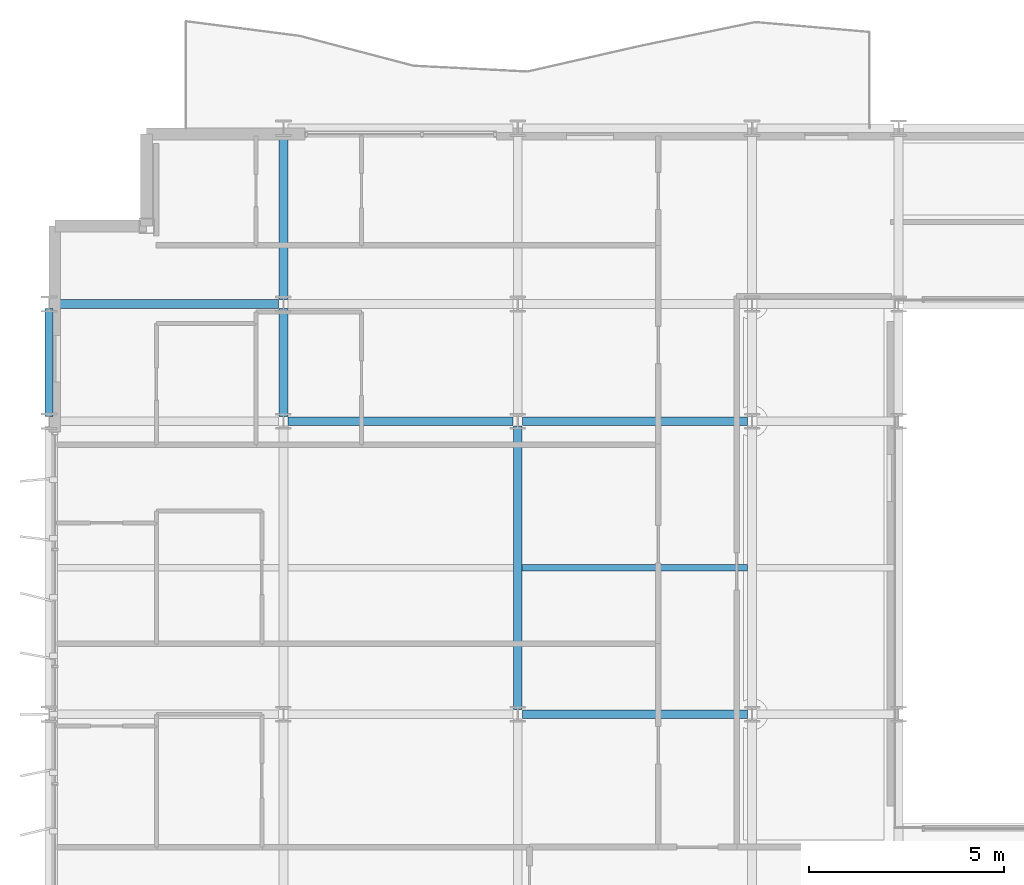
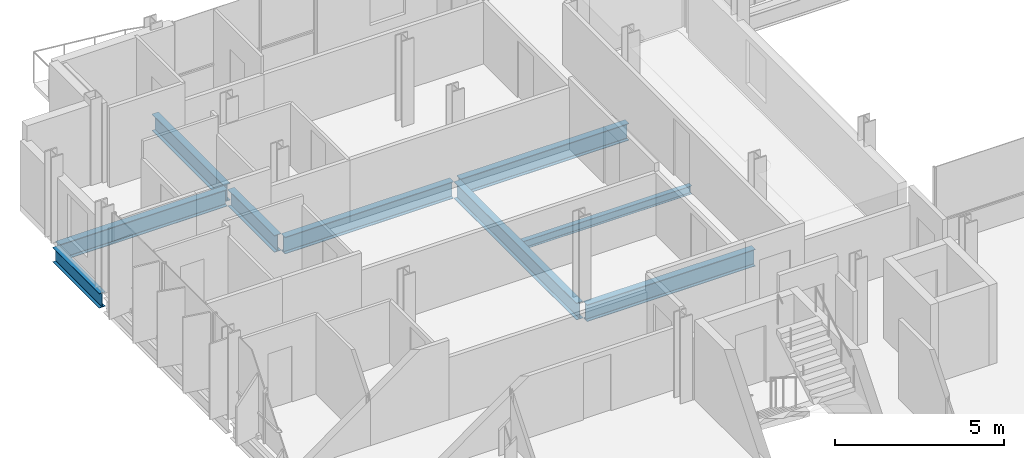
# One storey, part 8 of 39: 9 beams.
"""IFC4 building model written with IfcOpenShell, lengths in metres."""

from ifc_helpers import new_model, si_unit, direction, frame, origin, origin_2d, place, context, subcontext, project, spatial, i_section, extrude, material, material_profile, profile_set, type_object, element, save


model = new_model("IFC4")

# Units and contexts
model_context = context("Model", 3, precision=1e-05, world=origin(), true_north=direction((0.0, 1.0)))
body_context = subcontext(model_context, "Body", "Model", "MODEL_VIEW")
ifc_project = project(units=[si_unit("LENGTHUNIT", "METRE"), si_unit("AREAUNIT", "SQUARE_METRE"), si_unit("VOLUMEUNIT", "CUBIC_METRE"), si_unit("PLANEANGLEUNIT", "RADIAN"), si_unit("MASSUNIT", "GRAM", prefix="KILO")], contexts=[model_context])

# Site, building, storey
site_placement = place(None, origin())
site = spatial("IfcSite", under=ifc_project, at=site_placement, CompositionType="ELEMENT")
building_placement = place(site_placement, origin())
building = spatial("IfcBuilding", under=site, at=building_placement, Name="Brevholm Reach", CompositionType="ELEMENT")
storey_placement = place(building_placement, frame((0.0, 0.0, 154.199951171875)))
storey = spatial("IfcBuildingStorey", under=building, at=storey_placement, Name="L46", CompositionType="ELEMENT", Elevation=154.199951171875)

# Beams
ifc_material_1 = material(Name="Structural Steel S355J2", Category="steel")
ifc_material_profile_1 = material_profile(ifc_material_1, i_section(OverallWidth=0.1650390625, OverallDepth=0.303466796875, WebThickness=0.006103515625, FlangeThickness=0.01025390625, FilletRadius=0.0087890625, at=origin_2d()), Name="UKB 305x165x40")
ifc_profile_set_1 = profile_set([ifc_material_profile_1], Name="Structural Steel S355J2")
beam_type_1 = type_object("IfcBeamType", Name="BM-B305", PredefinedType="BEAM", material=ifc_profile_set_1)
beam_1_placement = place(storey_placement, frame((12.114501953125, 19.75, -0.37158203125), z_axis=(1.0, 0.0, 0.0), x_axis=(0.0, 1.0, 0.0)))
element("IfcBeam", 1, at=beam_1_placement, inside=storey, type_object=beam_type_1, Name="L46 Composite Secondary Floor Beam", PredefinedType="BEAM", context=body_context, shape_type="SweptSolid", body=[
    extrude(i_section(OverallWidth=0.1650390625, OverallDepth=0.303466796875, WebThickness=0.006103515625, FlangeThickness=0.01025390625, FilletRadius=0.0087890625, at=origin_2d()), origin(), (0.0, 0.0, 1.0), 5.77099609375),
])
ifc_material_2 = material(Name="Structural Steel S355J2", Category="steel")
ifc_material_profile_2 = material_profile(ifc_material_2, i_section(OverallWidth=0.209228515625, OverallDepth=0.533203125, WebThickness=0.010009765625, FlangeThickness=0.015625, FilletRadius=0.0126953125, at=origin_2d()), Name="UKB 533x210x92")
ifc_profile_set_2 = profile_set([ifc_material_profile_2], Name="Structural Steel S355J2")
beam_type_2 = type_object("IfcBeamType", Name="BM-SP533", PredefinedType="SPANDREL", material=ifc_profile_set_2)
beam_2_placement = place(storey_placement, frame((0.0, 23.6201171875, -0.486572265625), z_axis=(0.0, 1.0, 0.0), x_axis=(-1.0, 0.0, 0.0)))
element("IfcBeam", 2, at=beam_2_placement, inside=storey, type_object=beam_type_2, Name="L46 SP-02 Framing Beam", PredefinedType="SPANDREL", context=body_context, shape_type="SweptSolid", body=[
    extrude(i_section(OverallWidth=0.209228515625, OverallDepth=0.533203125, WebThickness=0.010009765625, FlangeThickness=0.015625, FilletRadius=0.0126953125, at=origin_2d()), origin(), (0.0, 0.0, 1.0), 2.759765625),
])
ifc_material_3 = material(Name="Structural Steel S355J2", Category="steel")
ifc_material_profile_3 = material_profile(ifc_material_3, i_section(OverallWidth=0.22900390625, OverallDepth=0.6123046875, WebThickness=0.011962890625, FlangeThickness=0.01953125, FilletRadius=0.0126953125, at=origin_2d()), Name="UKB 610x229x125")
ifc_profile_set_3 = profile_set([ifc_material_profile_3], Name="Structural Steel S355J2")
beam_type_3 = type_object("IfcBeamType", Name="BM-SP610", PredefinedType="SPANDREL", material=ifc_profile_set_3)
for number, where, z_axis, x_axis, name in (
    (3, (12.1201171875, 16.0, -0.526123046875), (1.0, 0.0, 0.0), (0.0, 1.0, 0.0), "L46 SP-01 Framing Beam"),
    (4, (6.1201171875, 23.5, -0.526123046875), (1.0, 0.0, 0.0), (0.0, 1.0, 0.0), "L46 SP-01 Framing Beam"),
    (5, (12.1201171875, 23.5, -0.526123046875), (1.0, 0.0, 0.0), (0.0, 1.0, 0.0), "L46 SP-01 Framing Beam"),
    (6, (0.1201171875, 26.5, -0.526123046875), (1.0, 0.0, 0.0), (0.0, 1.0, 0.0), "L46 SP-01 Framing Beam"),
):
    element("IfcBeam", number, at=place(storey_placement, frame(where, z_axis=z_axis, x_axis=x_axis)), inside=storey, type_object=beam_type_3, Name=name, PredefinedType="SPANDREL", context=body_context, shape_type="SweptSolid", body=[
        extrude(i_section(OverallWidth=0.22900390625, OverallDepth=0.6123046875, WebThickness=0.011962890625, FlangeThickness=0.01953125, FilletRadius=0.0126953125, at=origin_2d()), origin(), (0.0, 0.0, 1.0), 5.759765625),
    ])
beam_3_placement = place(storey_placement, frame((6.0, 23.6201171875, -0.526123046875), z_axis=(0.0, 1.0, 0.0), x_axis=(-1.0, 0.0, 0.0)))
element("IfcBeam", 7, at=beam_3_placement, inside=storey, type_object=beam_type_3, Name="L46 SP-01 Framing Beam", PredefinedType="SPANDREL", context=body_context, shape_type="SweptSolid", body=[
    extrude(i_section(OverallWidth=0.22900390625, OverallDepth=0.6123046875, WebThickness=0.011962890625, FlangeThickness=0.01953125, FilletRadius=0.0126953125, at=origin_2d()), origin(), (0.0, 0.0, 1.0), 2.759765625),
])
beam_4_placement = place(storey_placement, frame((6.0, 26.6201171875, -0.526123046875), z_axis=(0.0, 1.0, 0.0), x_axis=(-1.0, 0.0, 0.0)))
element("IfcBeam", 8, at=beam_4_placement, inside=storey, type_object=beam_type_3, Name="L46 SP-01 Framing Beam", PredefinedType="SPANDREL", context=body_context, shape_type="SweptSolid", body=[
    extrude(i_section(OverallWidth=0.22900390625, OverallDepth=0.6123046875, WebThickness=0.011962890625, FlangeThickness=0.01953125, FilletRadius=0.0126953125, at=origin_2d()), origin(), (0.0, 0.0, 1.0), 4.259765625),
])
beam_5_placement = place(storey_placement, frame((12.0, 16.1201171875, -0.526123046875), z_axis=(0.0, 1.0, 0.0), x_axis=(-1.0, 0.0, 0.0)))
element("IfcBeam", 9, at=beam_5_placement, inside=storey, type_object=beam_type_3, Name="L46 SP-01 Framing Beam", PredefinedType="SPANDREL", context=body_context, shape_type="SweptSolid", body=[
    extrude(i_section(OverallWidth=0.22900390625, OverallDepth=0.6123046875, WebThickness=0.011962890625, FlangeThickness=0.01953125, FilletRadius=0.0126953125, at=origin_2d()), origin(), (0.0, 0.0, 1.0), 7.259765625),
])

save(model, "model.ifc")
